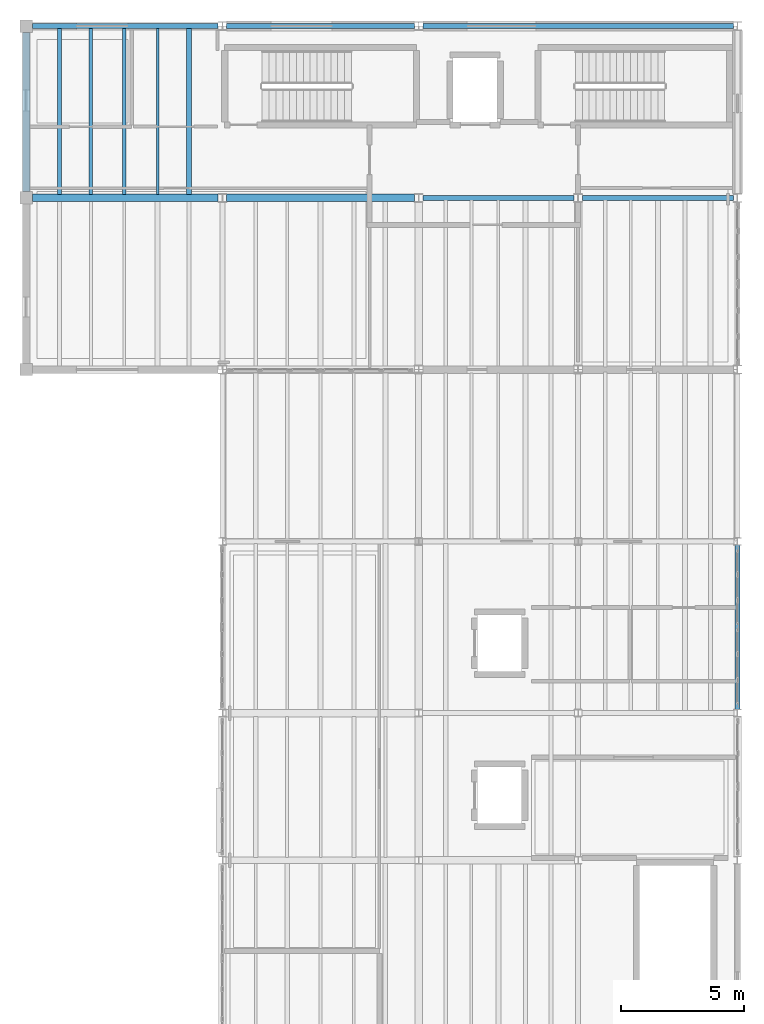
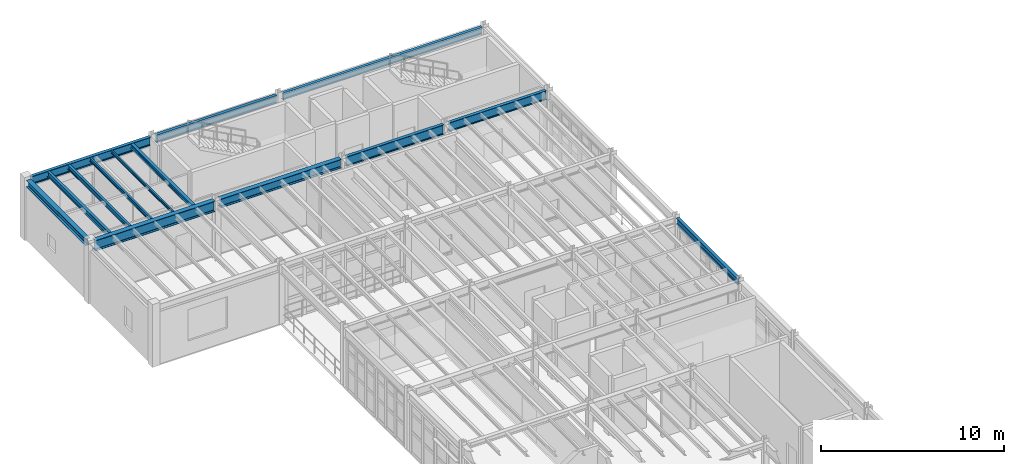
# One storey, part 15 of 27: 14 beams.
"""IFC4 building model written with IfcOpenShell, lengths in metres."""

from ifc_helpers import new_model, si_unit, direction, frame, origin, origin_2d, place, context, subcontext, project, spatial, i_section, extrude, material, material_profile, profile_set, type_object, element, save


model = new_model("IFC4")

# Units and contexts
model_context = context("Model", 3, precision=1e-05, world=origin(), true_north=direction((0.0, 1.0)))
body_context = subcontext(model_context, "Body", "Model", "MODEL_VIEW")
ifc_project = project(units=[si_unit("LENGTHUNIT", "METRE"), si_unit("AREAUNIT", "SQUARE_METRE"), si_unit("VOLUMEUNIT", "CUBIC_METRE"), si_unit("PLANEANGLEUNIT", "RADIAN"), si_unit("MASSUNIT", "GRAM", prefix="KILO"), si_unit("THERMODYNAMICTEMPERATUREUNIT", "KELVIN"), si_unit("POWERUNIT", "WATT")], contexts=[model_context])

# Site, building, storey
site_placement = place(None, origin())
site = spatial("IfcSite", under=ifc_project, at=site_placement, CompositionType="ELEMENT")
building_placement = place(site_placement, origin())
building = spatial("IfcBuilding", under=site, at=building_placement, Name="Zhenchuan Central Fire Station", CompositionType="ELEMENT")
storey_placement = place(building_placement, frame((0.0, 0.0, 14.25)))
storey = spatial("IfcBuildingStorey", under=building, at=storey_placement, Name="L04", CompositionType="ELEMENT", Elevation=14.25)

# Beams
ifc_material = material(Name="Steel Q355B", Category="steel")
ifc_material_profile_1 = material_profile(ifc_material, i_section(OverallWidth=0.300048828125, OverallDepth=0.43994140625, WebThickness=0.010986328125, FlangeThickness=0.01806640625, FilletRadius=0.02197265625, at=origin_2d()), Name="HM 440x300")
ifc_profile_set_1 = profile_set([ifc_material_profile_1], Name="Steel Q355B")
beam_type_1 = type_object("IfcBeamType", Name="BM-HM440-INT", PredefinedType="BEAM", material=ifc_profile_set_1)
beam_1_placement = place(storey_placement, frame((132.0, 49.75, 3.780029296875), z_axis=(0.0, 1.0, 0.0), x_axis=(-1.0, 0.0, 0.0)))
element("IfcBeam", 1, at=beam_1_placement, inside=storey, type_object=beam_type_1, Name="L05 Girder NS 0458", PredefinedType="BEAM", context=body_context, shape_type="SweptSolid", body=[
    extrude(i_section(OverallWidth=0.300048828125, OverallDepth=0.43994140625, WebThickness=0.010986328125, FlangeThickness=0.01806640625, FilletRadius=0.02197265625, at=origin_2d()), origin(), (0.0, 0.0, 1.0), 6.5),
])
ifc_material_profile_2 = material_profile(ifc_material, i_section(OverallWidth=0.300048828125, OverallDepth=0.587890625, WebThickness=0.011962890625, FlangeThickness=0.02001953125, FilletRadius=0.02392578125, at=origin_2d()), Name="HM 588x300")
ifc_profile_set_2 = profile_set([ifc_material_profile_2], Name="Steel Q355B")
beam_type_2 = type_object("IfcBeamType", Name="BM-HM588", PredefinedType="BEAM", material=ifc_profile_set_2)
beam_2_placement = place(storey_placement, frame((140.175048828125, 49.5, 3.7060546875), z_axis=(1.0, 0.0, 0.0), x_axis=(0.0, 1.0, 0.0)))
element("IfcBeam", 2, at=beam_2_placement, inside=storey, type_object=beam_type_2, Name="L05 Girder EW 0451", PredefinedType="BEAM", context=body_context, shape_type="SweptSolid", body=[
    extrude(i_section(OverallWidth=0.300048828125, OverallDepth=0.587890625, WebThickness=0.011962890625, FlangeThickness=0.02001953125, FilletRadius=0.02392578125, at=origin_2d()), origin(), (0.0, 0.0, 1.0), 7.64990234375),
])
ifc_material_profile_3 = material_profile(ifc_material, i_section(OverallWidth=0.199951171875, OverallDepth=0.449951171875, WebThickness=0.009033203125, FlangeThickness=0.013916015625, FilletRadius=0.01806640625, at=origin_2d()), Name="HN 450x200")
ifc_profile_set_3 = profile_set([ifc_material_profile_3], Name="Steel Q355B")
beam_type_3 = type_object("IfcBeamType", Name="BM-HN450-EXT", PredefinedType="BEAM", material=ifc_profile_set_3)
beam_3_placement = place(storey_placement, frame((148.175048828125, 56.5, 3.77490234375), z_axis=(1.0, 0.0, 0.0), x_axis=(0.0, 1.0, 0.0)))
element("IfcBeam", 3, at=beam_3_placement, inside=storey, type_object=beam_type_3, Name="L05 Girder EW 0456", PredefinedType="BEAM", context=body_context, shape_type="SweptSolid", body=[
    extrude(i_section(OverallWidth=0.199951171875, OverallDepth=0.449951171875, WebThickness=0.009033203125, FlangeThickness=0.013916015625, FilletRadius=0.01806640625, at=origin_2d()), origin(), (0.0, 0.0, 1.0), 12.64990234375),
])
ifc_material_profile_4 = material_profile(ifc_material, i_section(OverallWidth=0.199951171875, OverallDepth=0.5, WebThickness=0.010009765625, FlangeThickness=0.01611328125, FilletRadius=0.02001953125, at=origin_2d()), Name="HN 500x200")
ifc_profile_set_4 = profile_set([ifc_material_profile_4], Name="Steel Q355B")
beam_type_4 = type_object("IfcBeamType", Name="BM-HN500", PredefinedType="BEAM", material=ifc_profile_set_4)
beam_4_placement = place(storey_placement, frame((140.175048828125, 56.5, 3.75), z_axis=(1.0, 0.0, 0.0), x_axis=(0.0, 1.0, 0.0)))
element("IfcBeam", 4, at=beam_4_placement, inside=storey, type_object=beam_type_4, Name="L05 Girder EW 0455", PredefinedType="BEAM", context=body_context, shape_type="SweptSolid", body=[
    extrude(i_section(OverallWidth=0.199951171875, OverallDepth=0.5, WebThickness=0.010009765625, FlangeThickness=0.01611328125, FilletRadius=0.02001953125, at=origin_2d()), origin(), (0.0, 0.0, 1.0), 7.64990234375),
])
ifc_material_profile_5 = material_profile(ifc_material, i_section(OverallWidth=0.199951171875, OverallDepth=0.550048828125, WebThickness=0.010009765625, FlangeThickness=0.01611328125, FilletRadius=0.02001953125, at=origin_2d()), Name="HN 550x200")
ifc_profile_set_5 = profile_set([ifc_material_profile_5], Name="Steel Q355B")
beam_type_5 = type_object("IfcBeamType", Name="BM-HN550", PredefinedType="BEAM", material=ifc_profile_set_5)
beam_5_placement = place(storey_placement, frame((132.25, 56.5, 3.72509765625), z_axis=(1.0, 0.0, 0.0), x_axis=(0.0, 1.0, 0.0)))
element("IfcBeam", 5, at=beam_5_placement, inside=storey, type_object=beam_type_5, Name="L05 Girder EW 0454", PredefinedType="BEAM", context=body_context, shape_type="SweptSolid", body=[
    extrude(i_section(OverallWidth=0.199951171875, OverallDepth=0.550048828125, WebThickness=0.010009765625, FlangeThickness=0.01611328125, FilletRadius=0.02001953125, at=origin_2d()), origin(), (0.0, 0.0, 1.0), 7.574951171875),
])
ifc_material_profile_6 = material_profile(ifc_material, i_section(OverallWidth=0.199951171875, OverallDepth=0.60009765625, WebThickness=0.010986328125, FlangeThickness=0.01708984375, FilletRadius=0.02197265625, at=origin_2d()), Name="HN 600x200")
ifc_profile_set_6 = profile_set([ifc_material_profile_6], Name="Steel Q355B")
beam_type_6 = type_object("IfcBeamType", Name="BM-HN600-INT", PredefinedType="BEAM", material=ifc_profile_set_6)
beam_6_placement = place(storey_placement, frame((154.675048828125, 49.5, 3.699951171875), z_axis=(1.0, 0.0, 0.0), x_axis=(0.0, 1.0, 0.0)))
element("IfcBeam", 6, at=beam_6_placement, inside=storey, type_object=beam_type_6, Name="L05 Girder EW 0453", PredefinedType="BEAM", context=body_context, shape_type="SweptSolid", body=[
    extrude(i_section(OverallWidth=0.199951171875, OverallDepth=0.60009765625, WebThickness=0.010986328125, FlangeThickness=0.01708984375, FilletRadius=0.02197265625, at=origin_2d()), origin(), (0.0, 0.0, 1.0), 6.14990234375),
])
ifc_material_profile_7 = material_profile(ifc_material, i_section(OverallWidth=0.199951171875, OverallDepth=0.64990234375, WebThickness=0.011962890625, FlangeThickness=0.02001953125, FilletRadius=0.02197265625, at=origin_2d()), Name="HN 650x200")
ifc_profile_set_7 = profile_set([ifc_material_profile_7], Name="Steel Q355B")
beam_type_7 = type_object("IfcBeamType", Name="BM-HN650", PredefinedType="BEAM", material=ifc_profile_set_7)
beam_7_placement = place(storey_placement, frame((148.175048828125, 49.5, 3.675048828125), z_axis=(1.0, 0.0, 0.0), x_axis=(0.0, 1.0, 0.0)))
element("IfcBeam", 7, at=beam_7_placement, inside=storey, type_object=beam_type_7, Name="L05 Girder EW 0452", PredefinedType="BEAM", context=body_context, shape_type="SweptSolid", body=[
    extrude(i_section(OverallWidth=0.199951171875, OverallDepth=0.64990234375, WebThickness=0.011962890625, FlangeThickness=0.02001953125, FilletRadius=0.02197265625, at=origin_2d()), origin(), (0.0, 0.0, 1.0), 6.14990234375),
])
ifc_material_profile_8 = material_profile(ifc_material, i_section(OverallWidth=0.300048828125, OverallDepth=0.699951171875, WebThickness=0.012939453125, FlangeThickness=0.02392578125, FilletRadius=0.02392578125, at=origin_2d()), Name="HN 700x300")
ifc_profile_set_8 = profile_set([ifc_material_profile_8], Name="Steel Q355B")
beam_type_8 = type_object("IfcBeamType", Name="BM-HN700", PredefinedType="BEAM", material=ifc_profile_set_8)
beam_8_placement = place(storey_placement, frame((132.25, 49.5, 3.64990234375), z_axis=(1.0, 0.0, 0.0), x_axis=(0.0, 1.0, 0.0)))
element("IfcBeam", 8, at=beam_8_placement, inside=storey, type_object=beam_type_8, Name="L05 Girder EW 0450", PredefinedType="BEAM", context=body_context, shape_type="SweptSolid", body=[
    extrude(i_section(OverallWidth=0.300048828125, OverallDepth=0.699951171875, WebThickness=0.012939453125, FlangeThickness=0.02392578125, FilletRadius=0.02392578125, at=origin_2d()), origin(), (0.0, 0.0, 1.0), 7.574951171875),
])
ifc_material_profile_9 = material_profile(ifc_material, i_section(OverallWidth=0.199951171875, OverallDepth=0.2939453125, WebThickness=0.008056640625, FlangeThickness=0.011962890625, FilletRadius=0.01611328125, at=origin_2d()), Name="HM 294x200")
ifc_profile_set_9 = profile_set([ifc_material_profile_9], Name="Steel Q355B")
beam_type_9 = type_object("IfcBeamType", Name="JS-HM294", PredefinedType="JOIST", material=ifc_profile_set_9)
beam_9_placement = place(storey_placement, frame((138.639892578125, 49.64697265625, 3.85302734375), z_axis=(0.0, 1.0, 0.0), x_axis=(-1.0, 0.0, 0.0)))
element("IfcBeam", 9, at=beam_9_placement, inside=storey, type_object=beam_type_9, Name="L05 Secondary Joist 0790", PredefinedType="JOIST", context=body_context, shape_type="SweptSolid", body=[
    extrude(i_section(OverallWidth=0.199951171875, OverallDepth=0.2939453125, WebThickness=0.008056640625, FlangeThickness=0.011962890625, FilletRadius=0.01611328125, at=origin_2d()), origin(), (0.0, 0.0, 1.0), 6.756103515625),
])
ifc_material_profile_10 = material_profile(ifc_material, i_section(OverallWidth=0.10009765625, OverallDepth=0.199951171875, WebThickness=0.005615234375, FlangeThickness=0.008056640625, FilletRadius=0.010986328125, at=origin_2d()), Name="HN 200x100")
ifc_profile_set_10 = profile_set([ifc_material_profile_10], Name="Steel Q355B")
beam_type_10 = type_object("IfcBeamType", Name="JS-HN200", PredefinedType="JOIST", material=ifc_profile_set_10)
beam_10_placement = place(storey_placement, frame((137.360107421875, 49.64697265625, 3.89990234375), z_axis=(0.0, 1.0, 0.0), x_axis=(-1.0, 0.0, 0.0)))
element("IfcBeam", 10, at=beam_10_placement, inside=storey, type_object=beam_type_10, Name="L05 Secondary Joist 0789", PredefinedType="JOIST", context=body_context, shape_type="SweptSolid", body=[
    extrude(i_section(OverallWidth=0.10009765625, OverallDepth=0.199951171875, WebThickness=0.005615234375, FlangeThickness=0.008056640625, FilletRadius=0.010986328125, at=origin_2d()), origin(), (0.0, 0.0, 1.0), 6.756103515625),
])
ifc_material_profile_11 = material_profile(ifc_material, i_section(OverallWidth=0.125, OverallDepth=0.25, WebThickness=0.006103515625, FlangeThickness=0.009033203125, FilletRadius=0.011962890625, at=origin_2d()), Name="HN 250x125")
ifc_profile_set_11 = profile_set([ifc_material_profile_11], Name="Steel Q355B")
beam_type_11 = type_object("IfcBeamType", Name="JS-HN250", PredefinedType="JOIST", material=ifc_profile_set_11)
beam_11_placement = place(storey_placement, frame((136.0, 49.64697265625, 3.875), z_axis=(0.0, 1.0, 0.0), x_axis=(-1.0, 0.0, 0.0)))
element("IfcBeam", 11, at=beam_11_placement, inside=storey, type_object=beam_type_11, Name="L05 Secondary Joist 0788", PredefinedType="JOIST", context=body_context, shape_type="SweptSolid", body=[
    extrude(i_section(OverallWidth=0.125, OverallDepth=0.25, WebThickness=0.006103515625, FlangeThickness=0.009033203125, FilletRadius=0.011962890625, at=origin_2d()), origin(), (0.0, 0.0, 1.0), 6.756103515625),
])
ifc_material_profile_12 = material_profile(ifc_material, i_section(OverallWidth=0.14990234375, OverallDepth=0.300048828125, WebThickness=0.006591796875, FlangeThickness=0.009033203125, FilletRadius=0.012939453125, at=origin_2d()), Name="HN 300x150")
ifc_profile_set_12 = profile_set([ifc_material_profile_12], Name="Steel Q355B")
beam_type_12 = type_object("IfcBeamType", Name="JS-HN300", PredefinedType="JOIST", material=ifc_profile_set_12)
beam_12_placement = place(storey_placement, frame((134.639892578125, 49.64697265625, 3.85009765625), z_axis=(0.0, 1.0, 0.0), x_axis=(-1.0, 0.0, 0.0)))
element("IfcBeam", 12, at=beam_12_placement, inside=storey, type_object=beam_type_12, Name="L05 Secondary Joist 0787", PredefinedType="JOIST", context=body_context, shape_type="SweptSolid", body=[
    extrude(i_section(OverallWidth=0.14990234375, OverallDepth=0.300048828125, WebThickness=0.006591796875, FlangeThickness=0.009033203125, FilletRadius=0.012939453125, at=origin_2d()), origin(), (0.0, 0.0, 1.0), 6.756103515625),
])
ifc_material_profile_13 = material_profile(ifc_material, i_section(OverallWidth=0.175048828125, OverallDepth=0.35009765625, WebThickness=0.007080078125, FlangeThickness=0.010986328125, FilletRadius=0.013916015625, at=origin_2d()), Name="HN 350x175")
ifc_profile_set_13 = profile_set([ifc_material_profile_13], Name="Steel Q355B")
beam_type_13 = type_object("IfcBeamType", Name="JS-HN350", PredefinedType="JOIST", material=ifc_profile_set_13)
beam_13_placement = place(storey_placement, frame((133.360107421875, 49.64697265625, 3.824951171875), z_axis=(0.0, 1.0, 0.0), x_axis=(-1.0, 0.0, 0.0)))
element("IfcBeam", 13, at=beam_13_placement, inside=storey, type_object=beam_type_13, Name="L05 Secondary Joist 0786", PredefinedType="JOIST", context=body_context, shape_type="SweptSolid", body=[
    extrude(i_section(OverallWidth=0.175048828125, OverallDepth=0.35009765625, WebThickness=0.007080078125, FlangeThickness=0.010986328125, FilletRadius=0.013916015625, at=origin_2d()), origin(), (0.0, 0.0, 1.0), 6.756103515625),
])
ifc_material_profile_14 = material_profile(ifc_material, i_section(OverallWidth=0.199951171875, OverallDepth=0.39990234375, WebThickness=0.008056640625, FlangeThickness=0.012939453125, FilletRadius=0.01611328125, at=origin_2d()), Name="HN 400x200")
ifc_profile_set_14 = profile_set([ifc_material_profile_14], Name="Steel Q355B")
beam_type_14 = type_object("IfcBeamType", Name="SP-HN400", PredefinedType="SPANDREL", material=ifc_profile_set_14)
beam_14_placement = place(storey_placement, frame((161.0, 28.64990234375, 3.780029296875), z_axis=(0.0, 1.0, 0.0), x_axis=(-1.0, 0.0, 0.0)))
element("IfcBeam", 14, at=beam_14_placement, inside=storey, type_object=beam_type_14, Name="L05 Girder NS 0484", PredefinedType="SPANDREL", context=body_context, shape_type="SweptSolid", body=[
    extrude(i_section(OverallWidth=0.199951171875, OverallDepth=0.39990234375, WebThickness=0.008056640625, FlangeThickness=0.012939453125, FilletRadius=0.01611328125, at=origin_2d()), origin(), (0.0, 0.0, 1.0), 6.7001953125),
])

save(model, "model.ifc")
